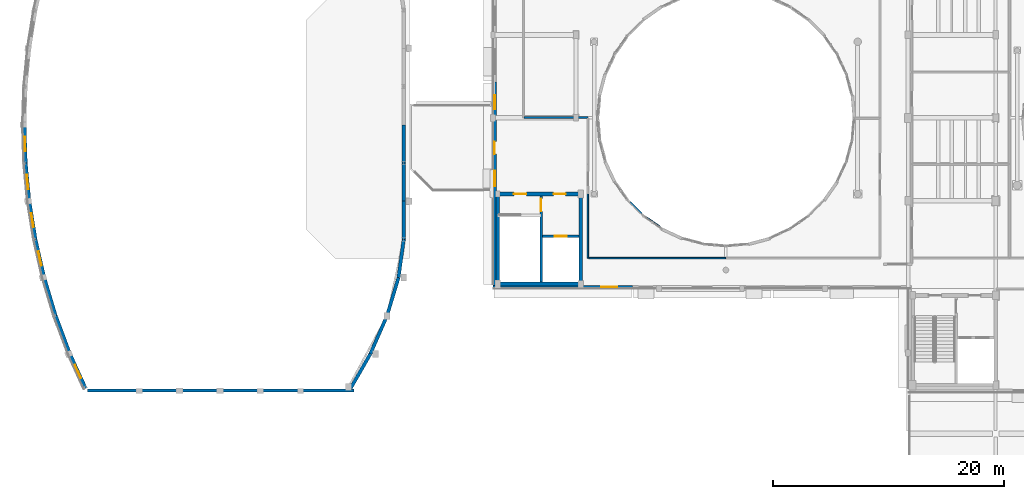
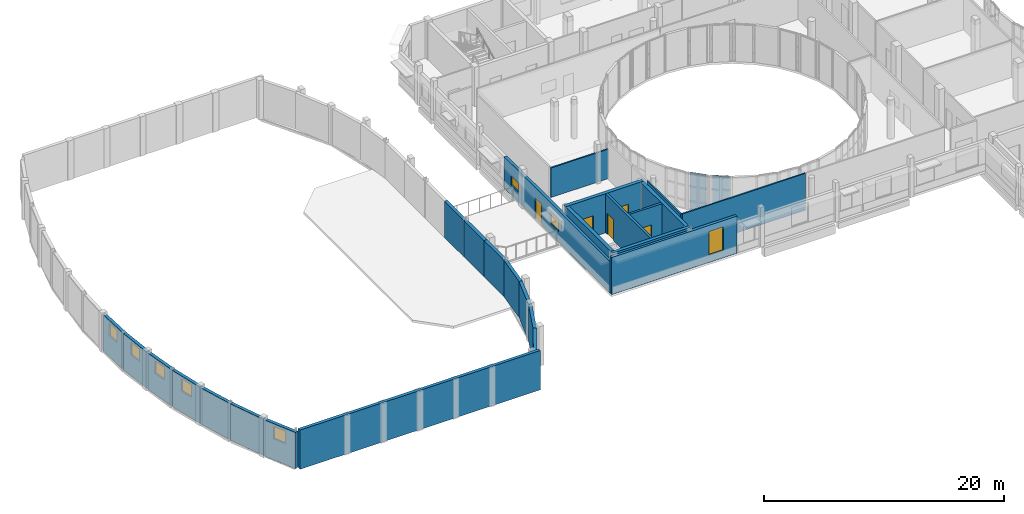
# One storey, part 65 of 89: 28 walls, 8 windows, 5 doors, 13 openings.
"""IFC4 building model written with IfcOpenShell, lengths in metres."""

from ifc_helpers import new_model, si_unit, direction, frame, frame_2d, origin, place, context, subcontext, project, spatial, rectangle, extrude, material, layer, layer_set, type_object, element, fill, save


model = new_model("IFC4")

# Units and contexts
model_context = context("Model", 3, precision=1e-05, world=origin(), true_north=direction((0.0, 1.0)))
body_context = subcontext(model_context, "Body", "Model", "MODEL_VIEW")
ifc_project = project(units=[si_unit("LENGTHUNIT", "METRE"), si_unit("AREAUNIT", "SQUARE_METRE"), si_unit("VOLUMEUNIT", "CUBIC_METRE"), si_unit("PLANEANGLEUNIT", "RADIAN"), si_unit("MASSUNIT", "GRAM", prefix="KILO")], contexts=[model_context])

# Site, building, storey
site_placement = place(None, origin())
site = spatial("IfcSite", under=ifc_project, at=site_placement, CompositionType="ELEMENT")
building_placement = place(site_placement, origin())
building = spatial("IfcBuilding", under=site, at=building_placement, Name="Kelanivale Promenade Academy", CompositionType="ELEMENT")
storey_placement = place(building_placement, frame((0.0, 0.0, 12.199951171875)))
storey = spatial("IfcBuildingStorey", under=building, at=storey_placement, Name="L03", CompositionType="ELEMENT", Elevation=12.199951171875)

# Wall
ifc_material_1 = material(Name="Concrete C40/50", Category="concrete")
ifc_layer_1 = layer(ifc_material_1, 0.330078125)
ifc_layer_set_1 = layer_set([ifc_layer_1], Name="Concrete C40/50")
wall_type_1 = type_object("IfcWallType", Name="CW-S1 Wall 330mm", PredefinedType="SHEAR", material=ifc_layer_set_1)
wall_1_placement = place(storey_placement, frame((43.43505859375, 42.39990234375, 0.0), z_axis=(0.0, 0.0, 1.0), x_axis=(1.0, 0.0, 0.0)))
element("IfcWall", 1, at=wall_1_placement, inside=storey, type_object=wall_type_1, Name="CORE-6 RC shear wall S L03", PredefinedType="SHEAR", context=body_context, shape_type="SweptSolid", body=[
    extrude(rectangle(XDim=7.530029296875, YDim=0.330078125, at=frame_2d((3.76513671875, 0.0))), origin(), (0.0, 0.0, 1.0), 4.0),
])

# Wall, openings, doors
wall_2_placement = place(storey_placement, frame((43.43505859375, 50.199951171875, 0.0), z_axis=(0.0, 0.0, 1.0), x_axis=(1.0, 0.0, 0.0)))
wall_2 = element("IfcWall", 2, at=wall_2_placement, inside=storey, type_object=wall_type_1, Name="CORE-6 RC shear wall N L03", PredefinedType="SHEAR", context=body_context, shape_type="SweptSolid", body=[
    extrude(rectangle(XDim=7.530029296875, YDim=0.330078125, at=frame_2d((3.76513671875, 0.0))), origin(), (0.0, 0.0, 1.0), 4.0),
])
opening_1_placement = place(wall_2_placement, frame((5.014892578125, 0.0, 0.0)))
opening_1 = element("IfcOpeningElement", 3, at=opening_1_placement, cuts=wall_2, Name="Opening FD-CORE-6-LB-L03", PredefinedType="OPENING", context=body_context, shape_type="SweptSolid", body=[
    extrude(rectangle(XDim=1.050048828125, YDim=2.14990234375, at=frame_2d((0.52490234375, 1.074951171875))), frame((0.0, 0.175048828125, 0.0), z_axis=(0.0, -1.0, 0.0), x_axis=(1.0, 0.0, 0.0)), (0.0, 0.0, 1.0), 0.35009765625),
])
opening_2_placement = place(wall_2_placement, frame((1.56494140625, 0.0, 0.0)))
opening_2 = element("IfcOpeningElement", 4, at=opening_2_placement, cuts=wall_2, Name="Opening FD-CORE-6-ST-L03", PredefinedType="OPENING", context=body_context, shape_type="SweptSolid", body=[
    extrude(rectangle(XDim=1.10009765625, YDim=2.14990234375, at=frame_2d((0.550048828125, 1.074951171875))), frame((0.0, 0.175048828125, 0.0), z_axis=(0.0, -1.0, 0.0), x_axis=(1.0, 0.0, 0.0)), (0.0, 0.0, 1.0), 0.35009765625),
])
ifc_material_2 = material(Name="Fire-rated steel-core teak veneer", Category="steel")
door_type_1 = type_object("IfcDoorType", Name="DT-F01 Door 1100x2150", OperationType="NOTDEFINED", PredefinedType="DOOR", material=ifc_material_2)
door_1_placement = place(opening_2_placement, origin())
door_1 = element("IfcDoor", 5, at=door_1_placement, inside=storey, type_object=door_type_1, Name="CORE-6 protected stair fire door L03", OperationType="SINGLE_SWING_LEFT", OverallHeight=2.14990234375, OverallWidth=1.10009765625, PredefinedType="DOOR", context=body_context, shape_type="SweptSolid", body=[
    extrude(rectangle(XDim=1.10009765625, YDim=2.14990234375, at=frame_2d((0.550048828125, 1.074951171875))), frame((0.0, 0.02490234375, 0.0), z_axis=(0.0, -1.0, 0.0), x_axis=(1.0, 0.0, 0.0)), (0.0, 0.0, 1.0), 0.050048828125),
])
fill(opening_2, door_1)
door_type_2 = type_object("IfcDoorType", Name="DT-F03 Door 1050x2150", OperationType="NOTDEFINED", PredefinedType="DOOR", material=ifc_material_2)
door_2_placement = place(opening_1_placement, origin())
door_2 = element("IfcDoor", 6, at=door_2_placement, inside=storey, type_object=door_type_2, Name="CORE-6 corridor-to-lobby fire door L03", OperationType="SINGLE_SWING_RIGHT", OverallHeight=2.14990234375, OverallWidth=1.050048828125, PredefinedType="DOOR", context=body_context, shape_type="SweptSolid", body=[
    extrude(rectangle(XDim=1.050048828125, YDim=2.14990234375, at=frame_2d((0.52490234375, 1.074951171875))), frame((0.0, 0.02490234375, 0.0), z_axis=(0.0, -1.0, 0.0), x_axis=(1.0, 0.0, 0.0)), (0.0, 0.0, 1.0), 0.050048828125),
])
fill(opening_1, door_2)

# Walls
for number, where, z_axis, x_axis, name in (
    (7, (43.60009765625, 42.56494140625, 0.0), (0.0, 0.0, 1.0), (0.0, 1.0, 0.0), "CORE-6 RC shear wall W L03"),
    (8, (50.800048828125, 42.56494140625, 0.0), (0.0, 0.0, 1.0), (0.0, 1.0, 0.0), "CORE-6 RC shear wall E L03"),
):
    element("IfcWall", number, at=place(storey_placement, frame(where, z_axis=z_axis, x_axis=x_axis)), inside=storey, type_object=wall_type_1, Name=name, PredefinedType="SHEAR", context=body_context, shape_type="SweptSolid", body=[
        extrude(rectangle(XDim=7.469970703125, YDim=0.330078125, at=frame_2d((3.73486328125, 0.0))), origin(), (0.0, 0.0, 1.0), 4.0),
    ])

# Wall, opening, door
ifc_layer_2 = layer(ifc_material_1, 0.22509765625)
ifc_layer_set_2 = layer_set([ifc_layer_2], Name="Concrete C40/50")
wall_type_2 = type_object("IfcWallType", Name="CW-S2 Wall 225mm", PredefinedType="SHEAR", material=ifc_layer_set_2)
wall_3_placement = place(storey_placement, frame((47.485107421875, 46.530029296875, 0.0), z_axis=(0.0, 0.0, 1.0), x_axis=(1.0, 0.0, 0.0)))
wall_3 = element("IfcWall", 9, at=wall_3_placement, inside=storey, type_object=wall_type_2, Name="CORE-6 lift shaft front RC wall L03", PredefinedType="SHEAR", context=body_context, shape_type="SweptSolid", body=[
    extrude(rectangle(XDim=3.14990234375, YDim=0.22509765625, at=frame_2d((1.574951171875, 0.0))), origin(), (0.0, 0.0, 1.0), 4.0),
])
opening_3_placement = place(wall_3_placement, frame((1.050048828125, 0.0, 0.0)))
opening_3 = element("IfcOpeningElement", 10, at=opening_3_placement, cuts=wall_3, Name="Opening LD-LF-P4-L03", PredefinedType="OPENING", context=body_context, shape_type="SweptSolid", body=[
    extrude(rectangle(XDim=1.050048828125, YDim=2.199951171875, at=frame_2d((0.52490234375, 1.10009765625))), frame((0.0, 0.12255859375, 0.0), z_axis=(0.0, -1.0, 0.0), x_axis=(1.0, 0.0, 0.0)), (0.0, 0.0, 1.0), 0.2451171875),
])
door_type_3 = type_object("IfcDoorType", Name="LD-PL1 Door 1050x2200", OperationType="NOTDEFINED", PredefinedType="DOOR", material=ifc_material_2)
door_3_placement = place(opening_3_placement, origin())
door_3 = element("IfcDoor", 11, at=door_3_placement, inside=storey, type_object=door_type_3, Name="Passenger lift landing door LD-LF-P4-L03", OperationType="SLIDING_TO_LEFT", OverallHeight=2.199951171875, OverallWidth=1.050048828125, PredefinedType="DOOR", context=body_context, shape_type="SweptSolid", body=[
    extrude(rectangle(XDim=1.050048828125, YDim=2.199951171875, at=frame_2d((0.52490234375, 1.10009765625))), frame((0.0, 0.02490234375, 0.0), z_axis=(0.0, -1.0, 0.0), x_axis=(1.0, 0.0, 0.0)), (0.0, 0.0, 1.0), 0.050048828125),
])
fill(opening_3, door_3)

ifc_layer_3 = layer(ifc_material_1, 0.219970703125)
ifc_layer_set_3 = layer_set([ifc_layer_3], Name="Concrete C40/50")
wall_type_3 = type_object("IfcWallType", Name="CW-S3 Wall 220mm", PredefinedType="SHEAR", material=ifc_layer_set_3)
wall_4_placement = place(storey_placement, frame((47.375, 42.56494140625, 0.0), z_axis=(0.0, 0.0, 1.0), x_axis=(0.0, 1.0, 0.0)))
wall_4 = element("IfcWall", 12, at=wall_4_placement, inside=storey, type_object=wall_type_3, Name="CORE-6 stair-lobby dividing RC wall L03", PredefinedType="SHEAR", context=body_context, shape_type="SweptSolid", body=[
    extrude(rectangle(XDim=7.469970703125, YDim=0.219970703125, at=frame_2d((3.73486328125, 0.0))), origin(), (0.0, 0.0, 1.0), 4.0),
])
opening_4_placement = place(wall_4_placement, frame((6.1201171875, 0.0, 0.0)))
opening_4 = element("IfcOpeningElement", 13, at=opening_4_placement, cuts=wall_4, Name="Opening FD-CORE-6-SL-L03", PredefinedType="OPENING", context=body_context, shape_type="SweptSolid", body=[
    extrude(rectangle(XDim=1.10009765625, YDim=2.14990234375, at=frame_2d((0.550048828125, 1.074951171875))), frame((0.0, 0.1201171875, 0.0), z_axis=(0.0, -1.0, 0.0), x_axis=(1.0, 0.0, 0.0)), (0.0, 0.0, 1.0), 0.239990234375),
])
door_4_placement = place(opening_4_placement, origin())
door_4 = element("IfcDoor", 14, at=door_4_placement, inside=storey, type_object=door_type_1, Name="CORE-6 lobby-to-stair fire door L03", OperationType="SINGLE_SWING_LEFT", OverallHeight=2.14990234375, OverallWidth=1.10009765625, PredefinedType="DOOR", context=body_context, shape_type="SweptSolid", body=[
    extrude(rectangle(XDim=1.10009765625, YDim=2.14990234375, at=frame_2d((0.550048828125, 1.074951171875))), frame((0.0, 0.02490234375, 0.0), z_axis=(0.0, -1.0, 0.0), x_axis=(1.0, 0.0, 0.0)), (0.0, 0.0, 1.0), 0.050048828125),
])
fill(opening_4, door_4)

# Wall, opening, window
ifc_material_3 = material(Name="Insulated terracotta-clad masonry wall 300 mm", Category="masonry")
ifc_layer_4 = layer(ifc_material_3, 0.300048828125)
ifc_layer_set_4 = layer_set([ifc_layer_4], Name="Insulated terracotta-clad masonry wall 300 mm")
wall_type_4 = type_object("IfcWallType", Name="EW-01 Wall 300mm", PredefinedType="SOLIDWALL", material=ifc_layer_set_4)
wall_5_placement = place(storey_placement, frame((6.5029296875, 36.31396484375, 0.0), z_axis=(0.0, 0.0, 1.0), x_axis=(0.414382257429, -0.910102930842, 0.0)))
wall_5 = element("IfcWall", 15, at=wall_5_placement, inside=storey, type_object=wall_type_4, Name="Sports Hall Crescent Pavilion curved terracotta wall L03", PredefinedType="SOLIDWALL", context=body_context, shape_type="SweptSolid", body=[
    extrude(rectangle(XDim=3.3017578125, YDim=0.300048828125, at=frame_2d((1.65087890625, 0.0))), origin(), (0.0, 0.0, 1.0), 3.695068359375),
])
opening_5_placement = place(wall_5_placement, frame((1.02587890625, 0.0, 2.14990234375)))
opening_5 = element("IfcOpeningElement", 16, at=opening_5_placement, cuts=wall_5, Name="Opening WT-20", PredefinedType="OPENING", context=body_context, shape_type="SweptSolid", body=[
    extrude(rectangle(XDim=1.25, YDim=1.25, at=frame_2d((0.625, 0.625))), frame((0.0, 0.16015625, 0.0), z_axis=(0.0, -1.0, 0.0), x_axis=(1.0, 0.0, 0.0)), (0.0, 0.0, 1.0), 0.320068359375),
])
ifc_material_4 = material(Name="Bronze anodised aluminium frame with low-E laminated glass", Category="aluminium")
window_type_1 = type_object("IfcWindowType", Name="WT-20 Window 1250x1250", PartitioningType="SINGLE_PANEL", PredefinedType="WINDOW", material=ifc_material_4)
window_1_placement = place(opening_5_placement, origin())
window_1 = element("IfcWindow", 17, at=window_1_placement, inside=storey, type_object=window_type_1, Name="Window WT-20", OverallHeight=1.25, OverallWidth=1.25, PartitioningType="SINGLE_PANEL", PredefinedType="WINDOW", context=body_context, shape_type="SweptSolid", body=[
    extrude(rectangle(XDim=1.25, YDim=1.25, at=frame_2d((0.625, 0.625))), frame((0.0, 0.030029296875, 0.0), z_axis=(0.0, -1.0, 0.0), x_axis=(1.0, 0.0, 0.0)), (0.0, 0.0, 1.0), 0.06005859375),
])
fill(opening_5, window_1)

# Walls
wall_6_placement = place(storey_placement, frame((5.260986328125, 39.62890625, 0.0), z_axis=(0.0, 0.0, 1.0), x_axis=(0.350836219137, -0.936436835746, 0.0)))
element("IfcWall", 18, at=wall_6_placement, inside=storey, type_object=wall_type_4, Name="Sports Hall Crescent Pavilion curved terracotta wall L03", PredefinedType="SOLIDWALL", context=body_context, shape_type="SweptSolid", body=[
    extrude(rectangle(XDim=3.5400390625, YDim=0.300048828125, at=frame_2d((1.77001953125, 0.0))), origin(), (0.0, 0.0, 1.0), 3.695068359375),
])
wall_7_placement = place(storey_placement, frame((4.26806640625, 42.943115234375, 0.0), z_axis=(0.0, 0.0, 1.0), x_axis=(0.286991798892, -0.957933039084, 0.0)))
element("IfcWall", 19, at=wall_7_placement, inside=storey, type_object=wall_type_4, Name="Sports Hall Crescent Pavilion curved terracotta wall L03", PredefinedType="SOLIDWALL", context=body_context, shape_type="SweptSolid", body=[
    extrude(rectangle(XDim=3.459716796875, YDim=0.300048828125, at=frame_2d((1.72998046875, 0.0))), origin(), (0.0, 0.0, 1.0), 3.695068359375),
])

# Wall, opening, window
wall_8_placement = place(storey_placement, frame((3.509033203125, 46.257080078125, 0.0), z_axis=(0.0, 0.0, 1.0), x_axis=(0.223259599234, -0.974759022195, 0.0)))
wall_8 = element("IfcWall", 20, at=wall_8_placement, inside=storey, type_object=wall_type_4, Name="Sports Hall Crescent Pavilion curved terracotta wall L03", PredefinedType="SOLIDWALL", context=body_context, shape_type="SweptSolid", body=[
    extrude(rectangle(XDim=3.399658203125, YDim=0.300048828125, at=frame_2d((1.69970703125, 0.0))), origin(), (0.0, 0.0, 1.0), 3.695068359375),
])
opening_6_placement = place(wall_8_placement, frame((1.074951171875, 0.0, 2.14990234375)))
opening_6 = element("IfcOpeningElement", 21, at=opening_6_placement, cuts=wall_8, Name="Opening WT-20", PredefinedType="OPENING", context=body_context, shape_type="SweptSolid", body=[
    extrude(rectangle(XDim=1.25, YDim=1.25, at=frame_2d((0.625, 0.625))), frame((0.0, 0.16015625, 0.0), z_axis=(0.0, -1.0, 0.0), x_axis=(1.0, 0.0, 0.0)), (0.0, 0.0, 1.0), 0.320068359375),
])
window_2_placement = place(opening_6_placement, origin())
window_2 = element("IfcWindow", 22, at=window_2_placement, inside=storey, type_object=window_type_1, Name="Window WT-20", OverallHeight=1.25, OverallWidth=1.25, PartitioningType="SINGLE_PANEL", PredefinedType="WINDOW", context=body_context, shape_type="SweptSolid", body=[
    extrude(rectangle(XDim=1.25, YDim=1.25, at=frame_2d((0.625, 0.625))), frame((0.0, 0.030029296875, 0.0), z_axis=(0.0, -1.0, 0.0), x_axis=(1.0, 0.0, 0.0)), (0.0, 0.0, 1.0), 0.06005859375),
])
fill(opening_6, window_2)

wall_9_placement = place(storey_placement, frame((2.97412109375, 49.571044921875, 0.0), z_axis=(0.0, 0.0, 1.0), x_axis=(0.159349054769, -0.987222304623, 0.0)))
wall_9 = element("IfcWall", 23, at=wall_9_placement, inside=storey, type_object=wall_type_4, Name="Sports Hall Crescent Pavilion curved terracotta wall L03", PredefinedType="SOLIDWALL", context=body_context, shape_type="SweptSolid", body=[
    extrude(rectangle(XDim=3.35693359375, YDim=0.300048828125, at=frame_2d((1.678466796875, 0.0))), origin(), (0.0, 0.0, 1.0), 3.695068359375),
])
opening_7_placement = place(wall_9_placement, frame((1.052978515625, 0.0, 2.14990234375)))
opening_7 = element("IfcOpeningElement", 24, at=opening_7_placement, cuts=wall_9, Name="Opening WT-20", PredefinedType="OPENING", context=body_context, shape_type="SweptSolid", body=[
    extrude(rectangle(XDim=1.25, YDim=1.25, at=frame_2d((0.625, 0.625))), frame((0.0, 0.16015625, 0.0), z_axis=(0.0, -1.0, 0.0), x_axis=(1.0, 0.0, 0.0)), (0.0, 0.0, 1.0), 0.320068359375),
])
window_3_placement = place(opening_7_placement, origin())
window_3 = element("IfcWindow", 25, at=window_3_placement, inside=storey, type_object=window_type_1, Name="Window WT-20", OverallHeight=1.25, OverallWidth=1.25, PartitioningType="SINGLE_PANEL", PredefinedType="WINDOW", context=body_context, shape_type="SweptSolid", body=[
    extrude(rectangle(XDim=1.25, YDim=1.25, at=frame_2d((0.625, 0.625))), frame((0.0, 0.030029296875, 0.0), z_axis=(0.0, -1.0, 0.0), x_axis=(1.0, 0.0, 0.0)), (0.0, 0.0, 1.0), 0.06005859375),
])
fill(opening_7, window_3)

wall_10_placement = place(storey_placement, frame((2.656005859375, 52.885986328125, 0.0), z_axis=(0.0, 0.0, 1.0), x_axis=(0.095525216858, -0.995427010355, 0.0)))
wall_10 = element("IfcWall", 26, at=wall_10_placement, inside=storey, type_object=wall_type_4, Name="Sports Hall Crescent Pavilion curved terracotta wall L03", PredefinedType="SOLIDWALL", context=body_context, shape_type="SweptSolid", body=[
    extrude(rectangle(XDim=3.330078125, YDim=0.300048828125, at=frame_2d((1.6650390625, 0.0))), origin(), (0.0, 0.0, 1.0), 3.695068359375),
])
opening_8_placement = place(wall_10_placement, frame((1.0400390625, 0.0, 2.14990234375)))
opening_8 = element("IfcOpeningElement", 27, at=opening_8_placement, cuts=wall_10, Name="Opening WT-20", PredefinedType="OPENING", context=body_context, shape_type="SweptSolid", body=[
    extrude(rectangle(XDim=1.25, YDim=1.25, at=frame_2d((0.625, 0.625))), frame((0.0, 0.16015625, 0.0), z_axis=(0.0, -1.0, 0.0), x_axis=(1.0, 0.0, 0.0)), (0.0, 0.0, 1.0), 0.320068359375),
])
window_4_placement = place(opening_8_placement, origin())
window_4 = element("IfcWindow", 28, at=window_4_placement, inside=storey, type_object=window_type_1, Name="Window WT-20", OverallHeight=1.25, OverallWidth=1.25, PartitioningType="SINGLE_PANEL", PredefinedType="WINDOW", context=body_context, shape_type="SweptSolid", body=[
    extrude(rectangle(XDim=1.25, YDim=1.25, at=frame_2d((0.625, 0.625))), frame((0.0, 0.030029296875, 0.0), z_axis=(0.0, -1.0, 0.0), x_axis=(1.0, 0.0, 0.0)), (0.0, 0.0, 1.0), 0.06005859375),
])
fill(opening_8, window_4)

wall_11_placement = place(storey_placement, frame((2.550048828125, 56.199951171875, 0.0), z_axis=(0.0, 0.0, 1.0), x_axis=(0.031956559473, -0.999489258725, 0.0)))
wall_11 = element("IfcWall", 29, at=wall_11_placement, inside=storey, type_object=wall_type_4, Name="Sports Hall Crescent Pavilion curved terracotta wall L03", PredefinedType="SOLIDWALL", context=body_context, shape_type="SweptSolid", body=[
    extrude(rectangle(XDim=3.315673828125, YDim=0.300048828125, at=frame_2d((1.65771484375, 0.0))), origin(), (0.0, 0.0, 1.0), 3.695068359375),
])
opening_9_placement = place(wall_11_placement, frame((1.032958984375, 0.0, 2.14990234375)))
opening_9 = element("IfcOpeningElement", 30, at=opening_9_placement, cuts=wall_11, Name="Opening WT-20", PredefinedType="OPENING", context=body_context, shape_type="SweptSolid", body=[
    extrude(rectangle(XDim=1.25, YDim=1.25, at=frame_2d((0.625, 0.625))), frame((0.0, 0.16015625, 0.0), z_axis=(0.0, -1.0, 0.0), x_axis=(1.0, 0.0, 0.0)), (0.0, 0.0, 1.0), 0.320068359375),
])
window_5_placement = place(opening_9_placement, origin())
window_5 = element("IfcWindow", 31, at=window_5_placement, inside=storey, type_object=window_type_1, Name="Window WT-20", OverallHeight=1.25, OverallWidth=1.25, PartitioningType="SINGLE_PANEL", PredefinedType="WINDOW", context=body_context, shape_type="SweptSolid", body=[
    extrude(rectangle(XDim=1.25, YDim=1.25, at=frame_2d((0.625, 0.625))), frame((0.0, 0.030029296875, 0.0), z_axis=(0.0, -1.0, 0.0), x_axis=(1.0, 0.0, 0.0)), (0.0, 0.0, 1.0), 0.06005859375),
])
fill(opening_9, window_5)

# Walls
wall_12_placement = place(storey_placement, frame((8.011962890625, 33.14990234375, 0.0), z_axis=(0.0, 0.0, 1.0), x_axis=(1.0, 0.0, 0.0)))
element("IfcWall", 32, at=wall_12_placement, inside=storey, type_object=wall_type_4, Name="Sports Hall Crescent Pavilion gable wall L03", PredefinedType="SOLIDWALL", context=body_context, shape_type="SweptSolid", body=[
    extrude(rectangle(XDim=23.137939453125, YDim=0.300048828125, at=frame_2d((11.56884765625, 0.0))), origin(), (0.0, 0.0, 1.0), 4.0),
])
wall_13_placement = place(storey_placement, frame((30.819091796875, 33.294921875, 0.0), z_axis=(0.0, 0.0, 1.0), x_axis=(0.497392560198, 0.867525585248, 0.0)))
element("IfcWall", 33, at=wall_13_placement, inside=storey, type_object=wall_type_4, Name="Sports Hall Crescent Pavilion inner crescent wall L03", PredefinedType="SOLIDWALL", context=body_context, shape_type="SweptSolid", body=[
    extrude(rectangle(XDim=3.47998046875, YDim=0.300048828125, at=frame_2d((1.739990234375, 0.0))), origin(), (0.0, 0.0, 1.0), 3.780029296875),
])
wall_14_placement = place(storey_placement, frame((32.550048828125, 36.31396484375, 0.0), z_axis=(0.0, 0.0, 1.0), x_axis=(0.400740958437, 0.916191401526, 0.0)))
element("IfcWall", 34, at=wall_14_placement, inside=storey, type_object=wall_type_4, Name="Sports Hall Crescent Pavilion inner crescent wall L03", PredefinedType="SOLIDWALL", context=body_context, shape_type="SweptSolid", body=[
    extrude(rectangle(XDim=3.6181640625, YDim=0.300048828125, at=frame_2d((1.80908203125, 0.0))), origin(), (0.0, 0.0, 1.0), 3.695068359375),
])
wall_15_placement = place(storey_placement, frame((34.0, 39.62890625, 0.0), z_axis=(0.0, 0.0, 1.0), x_axis=(0.288868004026, 0.957368934241, 0.0)))
element("IfcWall", 35, at=wall_15_placement, inside=storey, type_object=wall_type_4, Name="Sports Hall Crescent Pavilion inner crescent wall L03", PredefinedType="SOLIDWALL", context=body_context, shape_type="SweptSolid", body=[
    extrude(rectangle(XDim=3.461669921875, YDim=0.300048828125, at=frame_2d((1.73095703125, 0.0))), origin(), (0.0, 0.0, 1.0), 3.695068359375),
])
wall_16_placement = place(storey_placement, frame((35.0, 42.943115234375, 0.0), z_axis=(0.0, 0.0, 1.0), x_axis=(0.134539839792, 0.990908185206, 0.0)))
element("IfcWall", 36, at=wall_16_placement, inside=storey, type_object=wall_type_4, Name="Sports Hall Crescent Pavilion inner crescent wall L03", PredefinedType="SOLIDWALL", context=body_context, shape_type="SweptSolid", body=[
    extrude(rectangle(XDim=3.344482421875, YDim=0.300048828125, at=frame_2d((1.67236328125, 0.0))), origin(), (0.0, 0.0, 1.0), 3.695068359375),
])
wall_17_placement = place(storey_placement, frame((35.449951171875, 46.257080078125, 0.0), z_axis=(0.0, 0.0, 1.0), x_axis=(0.0, 1.0, 0.0)))
element("IfcWall", 37, at=wall_17_placement, inside=storey, type_object=wall_type_4, Name="Sports Hall Crescent Pavilion inner crescent wall L03", PredefinedType="SOLIDWALL", context=body_context, shape_type="SweptSolid", body=[
    extrude(rectangle(XDim=3.31396484375, YDim=0.300048828125, at=frame_2d((1.656982421875, 0.0))), origin(), (0.0, 0.0, 1.0), 3.695068359375),
])
wall_18_placement = place(storey_placement, frame((35.449951171875, 49.571044921875, 0.0), z_axis=(0.0, 0.0, 1.0), x_axis=(0.0, 1.0, 0.0)))
element("IfcWall", 38, at=wall_18_placement, inside=storey, type_object=wall_type_4, Name="Sports Hall Crescent Pavilion inner crescent wall L03", PredefinedType="SOLIDWALL", context=body_context, shape_type="SweptSolid", body=[
    extrude(rectangle(XDim=3.31494140625, YDim=0.300048828125, at=frame_2d((1.657470703125, 0.0))), origin(), (0.0, 0.0, 1.0), 3.695068359375),
])
wall_19_placement = place(storey_placement, frame((35.449951171875, 52.885986328125, 0.0), z_axis=(0.0, 0.0, 1.0), x_axis=(0.0, 1.0, 0.0)))
element("IfcWall", 39, at=wall_19_placement, inside=storey, type_object=wall_type_4, Name="Sports Hall Crescent Pavilion inner crescent wall L03", PredefinedType="SOLIDWALL", context=body_context, shape_type="SweptSolid", body=[
    extrude(rectangle(XDim=3.31396484375, YDim=0.300048828125, at=frame_2d((1.656982421875, 0.0))), origin(), (0.0, 0.0, 1.0), 3.695068359375),
])

# Wall, openings, door, windows
ifc_material_5 = material(Name="Insulated ivory stucco masonry wall 280 mm", Category="masonry")
ifc_layer_5 = layer(ifc_material_5, 0.280029296875)
ifc_layer_set_5 = layer_set([ifc_layer_5], Name="Insulated ivory stucco masonry wall 280 mm")
wall_type_5 = type_object("IfcWallType", Name="EW-02 Wall 280mm", PredefinedType="SOLIDWALL", material=ifc_layer_set_5)
wall_20_placement = place(storey_placement, frame((43.340087890625, 59.908935546875, 0.0), z_axis=(0.0, 0.0, 1.0), x_axis=(0.0, -1.0, 0.0)))
wall_20 = element("IfcWall", 40, at=wall_20_placement, inside=storey, type_object=wall_type_5, Name="L03 exterior facade wall EW-L03-ORT-0493", PredefinedType="SOLIDWALL", context=body_context, shape_type="SweptSolid", body=[
    extrude(rectangle(XDim=17.62890625, YDim=0.280029296875, at=frame_2d((8.814453125, 0.0))), origin(), (0.0, 0.0, 1.0), 3.205078125),
])
opening_10_placement = place(wall_20_placement, frame((5.158935546875, 0.0, 0.0)))
opening_10 = element("IfcOpeningElement", 41, at=opening_10_placement, cuts=wall_20, Name="Opening XD-302", PredefinedType="OPENING", context=body_context, shape_type="SweptSolid", body=[
    extrude(rectangle(XDim=1.10009765625, YDim=2.14990234375, at=frame_2d((0.550048828125, 1.074951171875))), frame((0.0, 0.14990234375, 0.0), z_axis=(0.0, -1.0, 0.0), x_axis=(1.0, 0.0, 0.0)), (0.0, 0.0, 1.0), 0.300048828125),
])
opening_11_placement = place(wall_20_placement, frame((1.1630859375, 0.0, 1.050048828125)))
opening_11 = element("IfcOpeningElement", 42, at=opening_11_placement, cuts=wall_20, Name="Opening WT-09", PredefinedType="OPENING", context=body_context, shape_type="SweptSolid", body=[
    extrude(rectangle(XDim=1.199951171875, YDim=0.89990234375, at=frame_2d((0.60009765625, 0.449951171875))), frame((0.0, 0.14990234375, 0.0), z_axis=(0.0, -1.0, 0.0), x_axis=(1.0, 0.0, 0.0)), (0.0, 0.0, 1.0), 0.300048828125),
])
opening_12_placement = place(wall_20_placement, frame((7.68896484375, 0.0, 1.050048828125)))
opening_12 = element("IfcOpeningElement", 43, at=opening_12_placement, cuts=wall_20, Name="Opening WT-34", PredefinedType="OPENING", context=body_context, shape_type="SweptSolid", body=[
    extrude(rectangle(XDim=1.35009765625, YDim=1.199951171875, at=frame_2d((0.675048828125, 0.60009765625))), frame((0.0, 0.14990234375, 0.0), z_axis=(0.0, -1.0, 0.0), x_axis=(1.0, 0.0, 0.0)), (0.0, 0.0, 1.0), 0.300048828125),
])
ifc_material_6 = material(Name="Bronze anodised aluminium and laminated glass", Category="aluminium")
door_type_4 = type_object("IfcDoorType", Name="DT-X07 Door 1100x2150", OperationType="NOTDEFINED", PredefinedType="DOOR", material=ifc_material_6)
door_5_placement = place(opening_10_placement, frame((1.10009765625, 0.0, 0.0), z_axis=(0.0, 0.0, 1.0), x_axis=(-1.0, 0.0, 0.0)))
door_5 = element("IfcDoor", 44, at=door_5_placement, inside=storey, type_object=door_type_4, Name="L03 Sports Shoulder Observation Deck door XD-302", OperationType="SINGLE_SWING_LEFT", OverallHeight=2.14990234375, OverallWidth=1.10009765625, PredefinedType="DOOR", context=body_context, shape_type="SweptSolid", body=[
    extrude(rectangle(XDim=1.10009765625, YDim=2.14990234375, at=frame_2d((0.550048828125, 1.074951171875))), frame((0.0, 0.02490234375, 0.0), z_axis=(0.0, -1.0, 0.0), x_axis=(1.0, 0.0, 0.0)), (0.0, 0.0, 1.0), 0.050048828125),
])
fill(opening_10, door_5)
window_type_2 = type_object("IfcWindowType", Name="WT-09 Window 1200x900", PartitioningType="SINGLE_PANEL", PredefinedType="WINDOW", material=ifc_material_4)
window_6_placement = place(opening_11_placement, origin())
window_6 = element("IfcWindow", 45, at=window_6_placement, inside=storey, type_object=window_type_2, Name="Window WT-09", OverallHeight=0.89990234375, OverallWidth=1.199951171875, PartitioningType="SINGLE_PANEL", PredefinedType="WINDOW", context=body_context, shape_type="SweptSolid", body=[
    extrude(rectangle(XDim=1.199951171875, YDim=0.89990234375, at=frame_2d((0.60009765625, 0.449951171875))), frame((0.0, 0.030029296875, 0.0), z_axis=(0.0, -1.0, 0.0), x_axis=(1.0, 0.0, 0.0)), (0.0, 0.0, 1.0), 0.06005859375),
])
fill(opening_11, window_6)
window_type_3 = type_object("IfcWindowType", Name="WT-34 Window 1350x1200", PartitioningType="SINGLE_PANEL", PredefinedType="WINDOW", material=ifc_material_4)
window_7_placement = place(opening_12_placement, origin())
window_7 = element("IfcWindow", 46, at=window_7_placement, inside=storey, type_object=window_type_3, Name="Window WT-34", OverallHeight=1.199951171875, OverallWidth=1.35009765625, PartitioningType="SINGLE_PANEL", PredefinedType="WINDOW", context=body_context, shape_type="SweptSolid", body=[
    extrude(rectangle(XDim=1.35009765625, YDim=1.199951171875, at=frame_2d((0.675048828125, 0.60009765625))), frame((0.0, 0.030029296875, 0.0), z_axis=(0.0, -1.0, 0.0), x_axis=(1.0, 0.0, 0.0)), (0.0, 0.0, 1.0), 0.06005859375),
])
fill(opening_12, window_7)

# Wall, opening, window
wall_21_placement = place(storey_placement, frame((43.199951171875, 42.139892578125, 0.0), z_axis=(0.0, 0.0, 1.0), x_axis=(1.0, 0.0, 0.0)))
wall_21 = element("IfcWall", 47, at=wall_21_placement, inside=storey, type_object=wall_type_5, Name="L03 exterior facade wall EW-L03-ORT-0494", PredefinedType="SOLIDWALL", context=body_context, shape_type="SweptSolid", body=[
    extrude(rectangle(XDim=12.093017578125, YDim=0.280029296875, at=frame_2d((6.04638671875, 0.0))), origin(), (0.0, 0.0, 1.0), 3.780029296875),
])
opening_13_placement = place(wall_21_placement, frame((9.376953125, 0.0, 0.75)))
opening_13 = element("IfcOpeningElement", 48, at=opening_13_placement, cuts=wall_21, Name="Opening WT-13", PredefinedType="OPENING", context=body_context, shape_type="SweptSolid", body=[
    extrude(rectangle(XDim=1.39990234375, YDim=2.39990234375, at=frame_2d((0.699951171875, 1.199951171875))), frame((0.0, 0.14990234375, 0.0), z_axis=(0.0, -1.0, 0.0), x_axis=(1.0, 0.0, 0.0)), (0.0, 0.0, 1.0), 0.300048828125),
])
window_type_4 = type_object("IfcWindowType", Name="WT-13 Window 1400x2400", PartitioningType="SINGLE_PANEL", PredefinedType="WINDOW", material=ifc_material_4)
window_8_placement = place(opening_13_placement, origin())
window_8 = element("IfcWindow", 49, at=window_8_placement, inside=storey, type_object=window_type_4, Name="Window WT-13", OverallHeight=2.39990234375, OverallWidth=1.39990234375, PartitioningType="SINGLE_PANEL", PredefinedType="WINDOW", context=body_context, shape_type="SweptSolid", body=[
    extrude(rectangle(XDim=1.39990234375, YDim=2.39990234375, at=frame_2d((0.699951171875, 1.199951171875))), frame((0.0, 0.030029296875, 0.0), z_axis=(0.0, -1.0, 0.0), x_axis=(1.0, 0.0, 0.0)), (0.0, 0.0, 1.0), 0.06005859375),
])
fill(opening_13, window_8)

# Walls
ifc_material_7 = material(Name="Acoustic double-stud gypsum board partition 140 mm", Category="masonry")
ifc_layer_6 = layer(ifc_material_7, 0.139892578125)
ifc_layer_set_6 = layer_set([ifc_layer_6], Name="Acoustic double-stud gypsum board partition 140 mm")
wall_type_6 = type_object("IfcWallType", Name="IW-04 Wall 140mm", PredefinedType="PARTITIONING", material=ifc_layer_set_6)
wall_22_placement = place(storey_placement, frame((51.429931640625, 50.22998046875, 0.0), z_axis=(0.0, 0.0, 1.0), x_axis=(0.0, -1.0, 0.0)))
element("IfcWall", 50, at=wall_22_placement, inside=storey, type_object=wall_type_6, Name="L03 partition Secondary Classroom West A", PredefinedType="PARTITIONING", context=body_context, shape_type="SweptSolid", body=[
    extrude(rectangle(XDim=5.60009765625, YDim=0.139892578125, at=frame_2d((2.800048828125, 0.0))), origin(), (0.0, 0.0, 1.0), 3.755126953125),
])
wall_23_placement = place(storey_placement, frame((51.498046875, 44.6298828125, 0.0), z_axis=(0.0, 0.0, 1.0), x_axis=(1.0, 0.0, 0.0)))
element("IfcWall", 51, at=wall_23_placement, inside=storey, type_object=wall_type_6, Name="L03 partition Secondary Classroom West A", PredefinedType="PARTITIONING", context=body_context, shape_type="SweptSolid", body=[
    extrude(rectangle(XDim=11.8720703125, YDim=0.139892578125, at=frame_2d((5.93603515625, 0.0))), origin(), (0.0, 0.0, 1.0), 3.755126953125),
])
wall_24_placement = place(storey_placement, frame((57.653076171875, 47.361083984375, 0.0), z_axis=(0.0, 0.0, 1.0), x_axis=(-0.819077743108, 0.57368253481, 0.0)))
element("IfcWall", 52, at=wall_24_placement, inside=storey, type_object=wall_type_6, Name="L03 partition Secondary Classroom West A", PredefinedType="PARTITIONING", context=body_context, shape_type="SweptSolid", body=[
    extrude(rectangle(XDim=1.413818359375, YDim=0.139892578125, at=frame_2d((0.70703125, 0.0))), origin(), (0.0, 0.0, 1.0), 3.755126953125),
])
wall_25_placement = place(storey_placement, frame((56.10107421875, 48.5029296875, 0.0), z_axis=(0.0, 0.0, 1.0), x_axis=(-0.707106781187, 0.707106781187, 0.0)))
element("IfcWall", 53, at=wall_25_placement, inside=storey, type_object=wall_type_6, Name="L03 partition Secondary Classroom West A", PredefinedType="PARTITIONING", context=body_context, shape_type="SweptSolid", body=[
    extrude(rectangle(XDim=1.411376953125, YDim=0.139892578125, at=frame_2d((0.70556640625, 0.0))), origin(), (0.0, 0.0, 1.0), 3.755126953125),
])
wall_26_placement = place(storey_placement, frame((45.89794921875, 56.830078125, 0.0), z_axis=(0.0, 0.0, 1.0), x_axis=(1.0, 0.0, 0.0)))
element("IfcWall", 54, at=wall_26_placement, inside=storey, type_object=wall_type_6, Name="L03 partition Secondary Classroom West B", PredefinedType="PARTITIONING", context=body_context, shape_type="SweptSolid", body=[
    extrude(rectangle(XDim=5.531982421875, YDim=0.139892578125, at=frame_2d((2.76611328125, 0.0))), origin(), (0.0, 0.0, 1.0), 3.005126953125),
])

save(model, "model.ifc")
